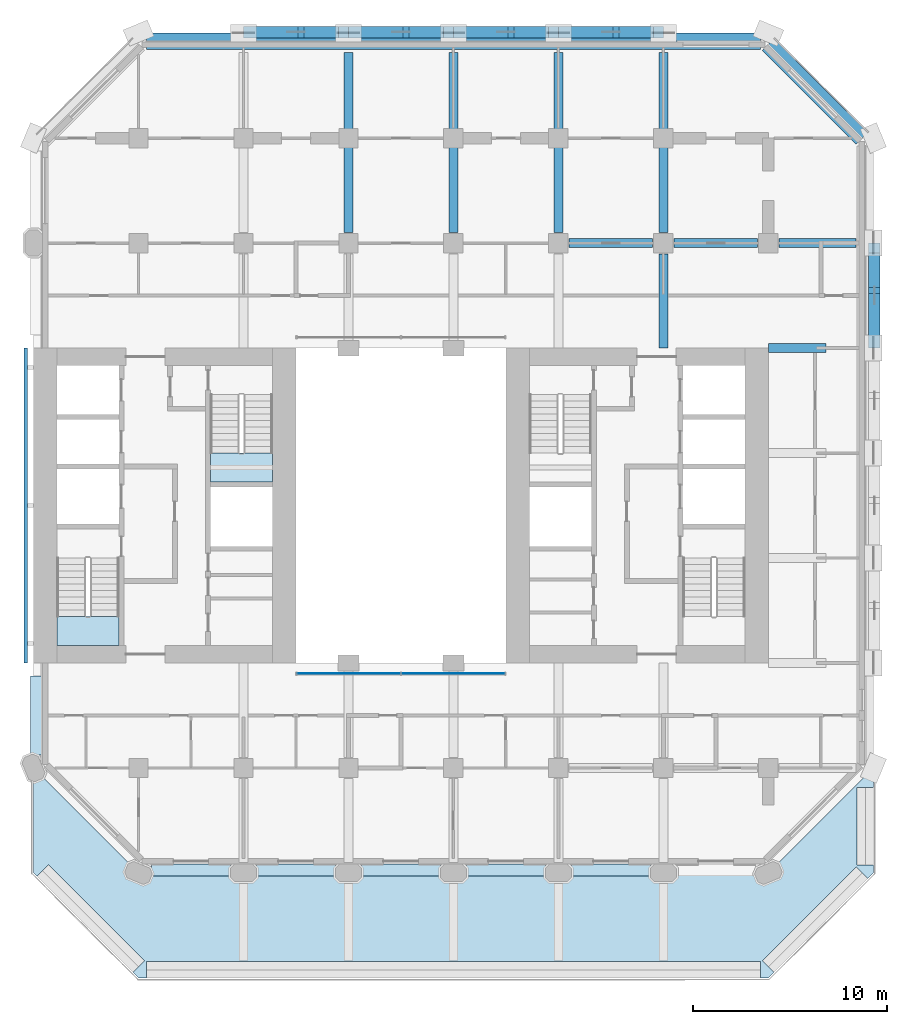
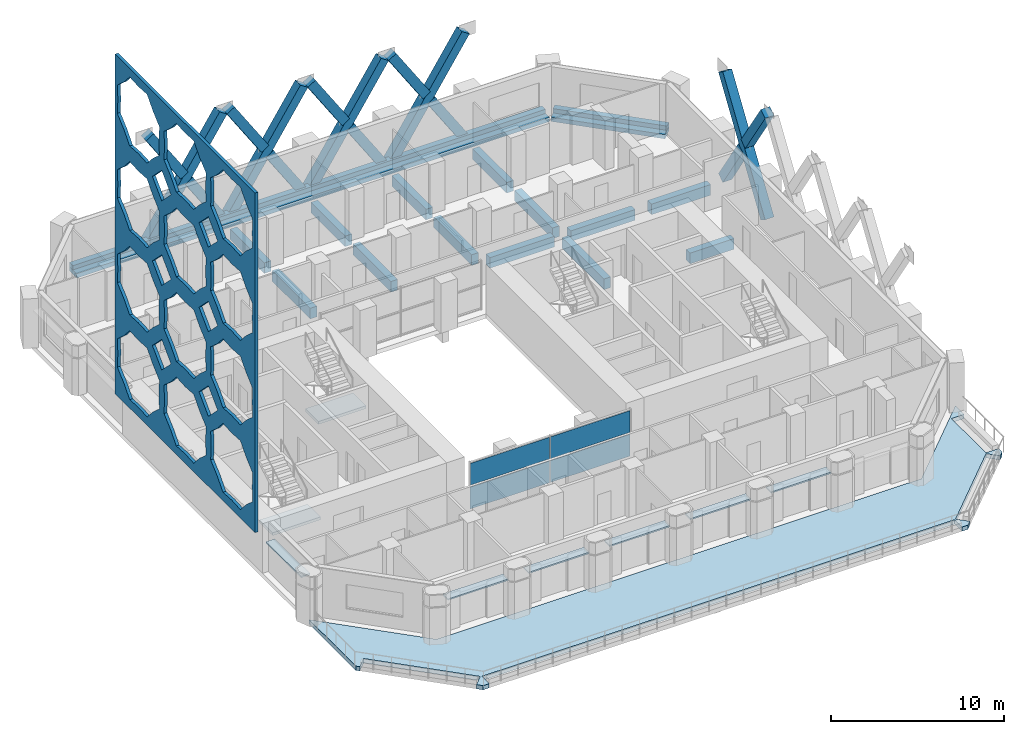
# One storey, part 7 of 16: 17 beams, 15 members, 11 plates, 3 slabs, 3 elements without a shape of their own.
"""IFC4 building model written with IfcOpenShell, lengths in metres."""

from ifc_helpers import new_model, si_unit, direction, frame, origin, origin_2d, place, context, subcontext, project, spatial, polyline, rectangle, outline, extrude, material, layer, layer_set, material_profile, profile_set, type_object, element, aggregate, save


model = new_model("IFC4")

# Units and contexts
model_context = context("Model", 3, precision=1e-05, world=origin(), true_north=direction((0.0, 1.0)))
body_context = subcontext(model_context, "Body", "Model", "MODEL_VIEW")
ifc_project = project(units=[si_unit("LENGTHUNIT", "METRE"), si_unit("AREAUNIT", "SQUARE_METRE"), si_unit("VOLUMEUNIT", "CUBIC_METRE"), si_unit("PLANEANGLEUNIT", "RADIAN"), si_unit("MASSUNIT", "GRAM", prefix="KILO")], contexts=[model_context])

# Site, building, storey
site_placement = place(None, origin())
site = spatial("IfcSite", under=ifc_project, at=site_placement, CompositionType="ELEMENT")
building_placement = place(site_placement, origin())
building = spatial("IfcBuilding", under=site, at=building_placement, Name="Tabaq Tower and Sports Hall", CompositionType="ELEMENT")
storey_placement = place(building_placement, frame((0.0, 0.0, 65.0)))
storey = spatial("IfcBuildingStorey", under=building, at=storey_placement, Name="L14", CompositionType="ELEMENT", Elevation=65.0)

# Beams
ifc_material_1 = material(Name="Concrete C40/50", Category="concrete")
ifc_material_profile_1 = material_profile(ifc_material_1, rectangle(XDim=0.449951171875, YDim=0.75, at=origin_2d()), Name="CB 450x750")
ifc_profile_set_1 = profile_set([ifc_material_profile_1], Name="Concrete C40/50")
beam_type_1 = type_object("IfcBeamType", Name="PT CANTILEVER BEAM CB 450x750 C40/50", PredefinedType="BEAM", material=ifc_profile_set_1)
beam_1_placement = place(storey_placement, frame((46.14990234375, 32.39990234375, -0.675048828125), z_axis=(-1.0, 0.0, 0.0), x_axis=(0.0, -1.0, 0.0)))
element("IfcBeam", 1, at=beam_1_placement, inside=storey, type_object=beam_type_1, Name="Cantilever Beam L14 E6 span 1", PredefinedType="BEAM", context=body_context, shape_type="SweptSolid", body=[
    extrude(rectangle(XDim=0.449951171875, YDim=0.75, at=origin_2d()), origin(), (0.0, 0.0, 1.0), 2.949951171875),
])
beam_2_placement = place(storey_placement, frame((47.699951171875, 37.800048828125, -0.675048828125), z_axis=(-1.0, 0.0, 0.0), x_axis=(0.0, -1.0, 0.0)))
element("IfcBeam", 2, at=beam_2_placement, inside=storey, type_object=beam_type_1, Name="Cantilever Beam L14 E7 span 1", PredefinedType="BEAM", context=body_context, shape_type="SweptSolid", body=[
    extrude(rectangle(XDim=0.449951171875, YDim=0.75, at=origin_2d()), origin(), (0.0, 0.0, 1.0), 3.949951171875),
])
beam_3_placement = place(storey_placement, frame((42.64990234375, 37.800048828125, -0.675048828125), z_axis=(-1.0, 0.0, 0.0), x_axis=(0.0, -1.0, 0.0)))
element("IfcBeam", 3, at=beam_3_placement, inside=storey, type_object=beam_type_1, Name="Cantilever Beam L14 E7 span 2", PredefinedType="BEAM", context=body_context, shape_type="SweptSolid", body=[
    extrude(rectangle(XDim=0.449951171875, YDim=0.75, at=origin_2d()), origin(), (0.0, 0.0, 1.0), 4.2998046875),
])
beam_4_placement = place(storey_placement, frame((37.25, 37.800048828125, -0.675048828125), z_axis=(-1.0, 0.0, 0.0), x_axis=(0.0, -1.0, 0.0)))
element("IfcBeam", 4, at=beam_4_placement, inside=storey, type_object=beam_type_1, Name="Cantilever Beam L14 E7 span 3", PredefinedType="BEAM", context=body_context, shape_type="SweptSolid", body=[
    extrude(rectangle(XDim=0.449951171875, YDim=0.75, at=origin_2d()), origin(), (0.0, 0.0, 1.0), 4.300048828125),
])
beam_5_placement = place(storey_placement, frame((21.60009765625, 47.60009765625, -0.675048828125), z_axis=(0.0, -1.0, 0.0), x_axis=(1.0, 0.0, 0.0)))
element("IfcBeam", 5, at=beam_5_placement, inside=storey, type_object=beam_type_1, Name="Cantilever Beam L14 N4 span 1", PredefinedType="BEAM", context=body_context, shape_type="SweptSolid", body=[
    extrude(rectangle(XDim=0.449951171875, YDim=0.75, at=origin_2d()), origin(), (0.0, 0.0, 1.0), 3.9501953125),
])
beam_6_placement = place(storey_placement, frame((21.60009765625, 42.75, -0.675048828125), z_axis=(0.0, -1.0, 0.0), x_axis=(1.0, 0.0, 0.0)))
element("IfcBeam", 6, at=beam_6_placement, inside=storey, type_object=beam_type_1, Name="Cantilever Beam L14 N4 span 2", PredefinedType="BEAM", context=body_context, shape_type="SweptSolid", body=[
    extrude(rectangle(XDim=0.449951171875, YDim=0.75, at=origin_2d()), origin(), (0.0, 0.0, 1.0), 4.39990234375),
])
beam_7_placement = place(storey_placement, frame((27.0, 47.60009765625, -0.675048828125), z_axis=(0.0, -1.0, 0.0), x_axis=(1.0, 0.0, 0.0)))
element("IfcBeam", 7, at=beam_7_placement, inside=storey, type_object=beam_type_1, Name="Cantilever Beam L14 N5 span 1", PredefinedType="BEAM", context=body_context, shape_type="SweptSolid", body=[
    extrude(rectangle(XDim=0.449951171875, YDim=0.75, at=origin_2d()), origin(), (0.0, 0.0, 1.0), 3.9501953125),
])
beam_8_placement = place(storey_placement, frame((27.0, 42.75, -0.675048828125), z_axis=(0.0, -1.0, 0.0), x_axis=(1.0, 0.0, 0.0)))
element("IfcBeam", 8, at=beam_8_placement, inside=storey, type_object=beam_type_1, Name="Cantilever Beam L14 N5 span 2", PredefinedType="BEAM", context=body_context, shape_type="SweptSolid", body=[
    extrude(rectangle(XDim=0.449951171875, YDim=0.75, at=origin_2d()), origin(), (0.0, 0.0, 1.0), 4.39990234375),
])
beam_9_placement = place(storey_placement, frame((32.39990234375, 47.60009765625, -0.675048828125), z_axis=(0.0, -1.0, 0.0), x_axis=(1.0, 0.0, 0.0)))
element("IfcBeam", 9, at=beam_9_placement, inside=storey, type_object=beam_type_1, Name="Cantilever Beam L14 N6 span 1", PredefinedType="BEAM", context=body_context, shape_type="SweptSolid", body=[
    extrude(rectangle(XDim=0.449951171875, YDim=0.75, at=origin_2d()), origin(), (0.0, 0.0, 1.0), 3.9501953125),
])
beam_10_placement = place(storey_placement, frame((32.39990234375, 42.75, -0.675048828125), z_axis=(0.0, -1.0, 0.0), x_axis=(1.0, 0.0, 0.0)))
element("IfcBeam", 10, at=beam_10_placement, inside=storey, type_object=beam_type_1, Name="Cantilever Beam L14 N6 span 2", PredefinedType="BEAM", context=body_context, shape_type="SweptSolid", body=[
    extrude(rectangle(XDim=0.449951171875, YDim=0.75, at=origin_2d()), origin(), (0.0, 0.0, 1.0), 4.39990234375),
])
beam_11_placement = place(storey_placement, frame((37.800048828125, 47.60009765625, -0.675048828125), z_axis=(0.0, -1.0, 0.0), x_axis=(1.0, 0.0, 0.0)))
element("IfcBeam", 11, at=beam_11_placement, inside=storey, type_object=beam_type_1, Name="Cantilever Beam L14 N7 span 1", PredefinedType="BEAM", context=body_context, shape_type="SweptSolid", body=[
    extrude(rectangle(XDim=0.449951171875, YDim=0.75, at=origin_2d()), origin(), (0.0, 0.0, 1.0), 3.9501953125),
])
beam_12_placement = place(storey_placement, frame((37.800048828125, 42.75, -0.675048828125), z_axis=(0.0, -1.0, 0.0), x_axis=(1.0, 0.0, 0.0)))
element("IfcBeam", 12, at=beam_12_placement, inside=storey, type_object=beam_type_1, Name="Cantilever Beam L14 N7 span 2", PredefinedType="BEAM", context=body_context, shape_type="SweptSolid", body=[
    extrude(rectangle(XDim=0.449951171875, YDim=0.75, at=origin_2d()), origin(), (0.0, 0.0, 1.0), 4.39990234375),
])
beam_13_placement = place(storey_placement, frame((37.800048828125, 37.25, -0.675048828125), z_axis=(0.0, -1.0, 0.0), x_axis=(1.0, 0.0, 0.0)))
element("IfcBeam", 13, at=beam_13_placement, inside=storey, type_object=beam_type_1, Name="Cantilever Beam L14 N7 span 3", PredefinedType="BEAM", context=body_context, shape_type="SweptSolid", body=[
    extrude(rectangle(XDim=0.449951171875, YDim=0.75, at=origin_2d()), origin(), (0.0, 0.0, 1.0), 4.85009765625),
])
ifc_material_2 = material(Name="Concrete C40/50", Category="concrete")
ifc_material_profile_2 = material_profile(ifc_material_2, rectangle(XDim=0.85009765625, YDim=0.300048828125, at=origin_2d()), Name="EB 850x300")
ifc_profile_set_2 = profile_set([ifc_material_profile_2], Name="Concrete C40/50")
beam_type_2 = type_object("IfcBeamType", Name="PT EDGE BEAM EB 850x300 C40/50", PredefinedType="SPANDREL", material=ifc_profile_set_2)
beam_14_placement = place(storey_placement, frame((48.01513671875, 43.183837890625, -0.14990234375), z_axis=(-0.707106781187, 0.707106781187, 0.0), x_axis=(-0.707106781187, -0.707106781187, 0.0)))
element("IfcBeam", 14, at=beam_14_placement, inside=storey, type_object=beam_type_2, Name="Edge Beam L14 2", PredefinedType="SPANDREL", context=body_context, shape_type="SweptSolid", body=[
    extrude(rectangle(XDim=0.85009765625, YDim=0.300048828125, at=origin_2d()), origin(), (0.0, 0.0, 1.0), 6.83251953125),
])
beam_15_placement = place(storey_placement, frame((42.7978515625, 48.175048828125, -0.14990234375), z_axis=(-1.0, 0.0, 0.0), x_axis=(0.0, -1.0, 0.0)))
element("IfcBeam", 15, at=beam_15_placement, inside=storey, type_object=beam_type_2, Name="Edge Beam L14 3", PredefinedType="SPANDREL", context=body_context, shape_type="SweptSolid", body=[
    extrude(rectangle(XDim=0.85009765625, YDim=0.300048828125, at=origin_2d()), origin(), (0.0, 0.0, 1.0), 31.595703125),
])
ifc_material_3 = material(Name="Concrete C40/50", Category="concrete")
ifc_material_profile_3 = material_profile(ifc_material_3, rectangle(XDim=0.39990234375, YDim=0.300048828125, at=origin_2d()), Name="EU 400x300")
ifc_profile_set_3 = profile_set([ifc_material_profile_3], Name="Concrete C40/50")
beam_type_3 = type_object("IfcBeamType", Name="PT EDGE UPSTAND EU 400x300 C40/50", PredefinedType="BEAM", material=ifc_profile_set_3)
beam_16_placement = place(storey_placement, frame((48.17431640625, 43.3427734375, 0.14990234375), z_axis=(-0.707106781187, 0.707106781187, 0.0), x_axis=(-0.707106781187, -0.707106781187, 0.0)))
element("IfcBeam", 16, at=beam_16_placement, inside=storey, type_object=beam_type_3, Name="Edge Upstand L14 2", PredefinedType="BEAM", context=body_context, shape_type="SweptSolid", body=[
    extrude(rectangle(XDim=0.39990234375, YDim=0.300048828125, at=origin_2d()), origin(), (0.0, 0.0, 1.0), 6.832763671875),
])
beam_17_placement = place(storey_placement, frame((42.7978515625, 48.39990234375, 0.14990234375), z_axis=(-1.0, 0.0, 0.0), x_axis=(0.0, -1.0, 0.0)))
element("IfcBeam", 17, at=beam_17_placement, inside=storey, type_object=beam_type_3, Name="Edge Upstand L14 3", PredefinedType="BEAM", context=body_context, shape_type="SweptSolid", body=[
    extrude(rectangle(XDim=0.39990234375, YDim=0.300048828125, at=origin_2d()), origin(), (0.0, 0.0, 1.0), 31.595703125),
])

# Members
ifc_material_4 = material(Name="Concrete C60/75", Category="concrete")
ifc_material_profile_4 = material_profile(ifc_material_4, rectangle(XDim=0.60009765625, YDim=0.60009765625, at=origin_2d()), Name="TRANSFER BAND BRACE 600x600")
ifc_profile_set_4 = profile_set([ifc_material_profile_4], Name="Concrete C60/75")
member_type = type_object("IfcMemberType", Name="RC TRANSFER BAND BRACE 600x600 C60/75", PredefinedType="BRACE", material=ifc_profile_set_4)
member_1_placement = place(storey_placement, frame((48.64990234375, 32.64990234375, -0.050048828125), z_axis=(0.0, 0.546960043342, 0.837158713141), x_axis=(-1.0, 0.0, 0.0)))
element("IfcMember", 18, at=member_1_placement, inside=storey, type_object=member_type, Name="Transfer Band Brace L14 East 10", PredefinedType="BRACE", context=body_context, shape_type="SweptSolid", body=[
    extrude(rectangle(XDim=0.60009765625, YDim=0.60009765625, at=origin_2d()), origin(), (0.0, 0.0, 1.0), 8.958984375),
])
for number, where, z_axis, x_axis, name in (
    (19, (48.64990234375, 37.550048828125, -0.050048828125), (0.0, -0.546980074693, 0.837145625258), (1.0, 0.0, 0.0), "Transfer Band Brace L14 East 11"),
    (20, (48.64990234375, 34.9482421875, 3.932373046875), (0.0, -0.546980074693, 0.837145625258), (1.0, 0.0, 0.0), "Transfer Band Brace L14 East 12"),
):
    element("IfcMember", number, at=place(storey_placement, frame(where, z_axis=z_axis, x_axis=x_axis)), inside=storey, type_object=member_type, Name=name, PredefinedType="BRACE", context=body_context, shape_type="SweptSolid", body=[
        extrude(rectangle(XDim=0.60009765625, YDim=0.60009765625, at=origin_2d()), origin(), (0.0, 0.0, 1.0), 4.201904296875),
    ])
member_2_placement = place(storey_placement, frame((16.449951171875, 48.64990234375, -0.050048828125), z_axis=(0.546960043342, 0.0, 0.837158713141), x_axis=(0.0, 1.0, 0.0)))
element("IfcMember", 21, at=member_2_placement, inside=storey, type_object=member_type, Name="Transfer Band Brace L14 North 13", PredefinedType="BRACE", context=body_context, shape_type="SweptSolid", body=[
    extrude(rectangle(XDim=0.60009765625, YDim=0.60009765625, at=origin_2d()), origin(), (0.0, 0.0, 1.0), 8.958984375),
])
for number, where, z_axis, x_axis, name in (
    (22, (21.35009765625, 48.64990234375, -0.050048828125), (-0.546980074693, 0.0, 0.837145625258), (0.0, -1.0, 0.0), "Transfer Band Brace L14 North 14"),
    (23, (18.748291015625, 48.64990234375, 3.932373046875), (-0.546980074693, 0.0, 0.837145625258), (0.0, -1.0, 0.0), "Transfer Band Brace L14 North 15"),
):
    element("IfcMember", number, at=place(storey_placement, frame(where, z_axis=z_axis, x_axis=x_axis)), inside=storey, type_object=member_type, Name=name, PredefinedType="BRACE", context=body_context, shape_type="SweptSolid", body=[
        extrude(rectangle(XDim=0.60009765625, YDim=0.60009765625, at=origin_2d()), origin(), (0.0, 0.0, 1.0), 4.201904296875),
    ])
member_3_placement = place(storey_placement, frame((21.85009765625, 48.64990234375, -0.050048828125), z_axis=(0.546940944285, 0.0, 0.837171191253), x_axis=(0.0, 1.0, 0.0)))
element("IfcMember", 24, at=member_3_placement, inside=storey, type_object=member_type, Name="Transfer Band Brace L14 North 16", PredefinedType="BRACE", context=body_context, shape_type="SweptSolid", body=[
    extrude(rectangle(XDim=0.60009765625, YDim=0.60009765625, at=origin_2d()), origin(), (0.0, 0.0, 1.0), 8.958740234375),
])
for number, where, z_axis, x_axis, name in (
    (25, (26.75, 48.64990234375, -0.050048828125), (-0.546939353543, 0.0, 0.837172230516), (0.0, -1.0, 0.0), "Transfer Band Brace L14 North 17"),
    (26, (24.148193359375, 48.64990234375, 3.932373046875), (-0.546939353543, 0.0, 0.837172230516), (0.0, -1.0, 0.0), "Transfer Band Brace L14 North 18"),
):
    element("IfcMember", number, at=place(storey_placement, frame(where, z_axis=z_axis, x_axis=x_axis)), inside=storey, type_object=member_type, Name=name, PredefinedType="BRACE", context=body_context, shape_type="SweptSolid", body=[
        extrude(rectangle(XDim=0.60009765625, YDim=0.60009765625, at=origin_2d()), origin(), (0.0, 0.0, 1.0), 4.20166015625),
    ])
member_4_placement = place(storey_placement, frame((27.25, 48.64990234375, -0.050048828125), z_axis=(0.546940944285, 0.0, 0.837171191253), x_axis=(0.0, 1.0, 0.0)))
element("IfcMember", 27, at=member_4_placement, inside=storey, type_object=member_type, Name="Transfer Band Brace L14 North 19", PredefinedType="BRACE", context=body_context, shape_type="SweptSolid", body=[
    extrude(rectangle(XDim=0.60009765625, YDim=0.60009765625, at=origin_2d()), origin(), (0.0, 0.0, 1.0), 8.958740234375),
])
for number, where, z_axis, x_axis, name in (
    (28, (32.14990234375, 48.64990234375, -0.050048828125), (-0.546939353543, 0.0, 0.837172230516), (0.0, -1.0, 0.0), "Transfer Band Brace L14 North 20"),
    (29, (29.548095703125, 48.64990234375, 3.932373046875), (-0.546939353543, 0.0, 0.837172230516), (0.0, -1.0, 0.0), "Transfer Band Brace L14 North 21"),
):
    element("IfcMember", number, at=place(storey_placement, frame(where, z_axis=z_axis, x_axis=x_axis)), inside=storey, type_object=member_type, Name=name, PredefinedType="BRACE", context=body_context, shape_type="SweptSolid", body=[
        extrude(rectangle(XDim=0.60009765625, YDim=0.60009765625, at=origin_2d()), origin(), (0.0, 0.0, 1.0), 4.20166015625),
    ])
member_5_placement = place(storey_placement, frame((32.64990234375, 48.64990234375, -0.050048828125), z_axis=(0.546960043342, 0.0, 0.837158713141), x_axis=(0.0, 1.0, 0.0)))
element("IfcMember", 30, at=member_5_placement, inside=storey, type_object=member_type, Name="Transfer Band Brace L14 North 22", PredefinedType="BRACE", context=body_context, shape_type="SweptSolid", body=[
    extrude(rectangle(XDim=0.60009765625, YDim=0.60009765625, at=origin_2d()), origin(), (0.0, 0.0, 1.0), 8.958984375),
])
for number, where, z_axis, x_axis, name in (
    (31, (37.550048828125, 48.64990234375, -0.050048828125), (-0.546980074693, 0.0, 0.837145625258), (0.0, -1.0, 0.0), "Transfer Band Brace L14 North 23"),
    (32, (34.9482421875, 48.64990234375, 3.932373046875), (-0.546980074693, 0.0, 0.837145625258), (0.0, -1.0, 0.0), "Transfer Band Brace L14 North 24"),
):
    element("IfcMember", number, at=place(storey_placement, frame(where, z_axis=z_axis, x_axis=x_axis)), inside=storey, type_object=member_type, Name=name, PredefinedType="BRACE", context=body_context, shape_type="SweptSolid", body=[
        extrude(rectangle(XDim=0.60009765625, YDim=0.60009765625, at=origin_2d()), origin(), (0.0, 0.0, 1.0), 4.201904296875),
    ])

# Curtain wall, plates
ifc_material_5 = material(Name="Aluminium alloy 6063-T6 framed glazing", Category="aluminium")
curtain_wall_type = type_object("IfcCurtainWallType", Name="CW1 curtain wall", PredefinedType="USERDEFINED", material=ifc_material_5)
curtain_wall_placement = place(storey_placement, origin())
curtain_wall = element("IfcCurtainWall", 33, at=curtain_wall_placement, inside=storey, type_object=curtain_wall_type, Name="Atrium glazing L14 S", ObjectType="ATRIUM ENCLOSURE", PredefinedType="USERDEFINED")
ifc_material_6 = material(Name="Clear low-emissivity glass 28 mm", Category="glass")
ifc_layer_1 = layer(ifc_material_6, 0.028076171875)
ifc_layer_set_1 = layer_set([ifc_layer_1], Name="CW1 glass panel 28")
plate_type_1 = type_object("IfcPlateType", Name="CW1 glass panel 28", PredefinedType="CURTAIN_PANEL", material=ifc_layer_set_1)
plate_1_placement = place(storey_placement, frame((21.614990234375, 15.64990234375, 0.139892578125), z_axis=(0.0, 0.0, 1.0), x_axis=(1.0, 0.0, 0.0)))
plate_1 = element("IfcPlate", 34, at=plate_1_placement, type_object=plate_type_1, Name="CW1 panel 1.1", PredefinedType="CURTAIN_PANEL", context=body_context, shape_type="SweptSolid", body=[
    extrude(rectangle(XDim=5.31005859375, YDim=0.028076171875, at=origin_2d()), origin(), (0.0, 0.0, 1.0), 1.5400390625),
])
plate_2_placement = place(storey_placement, frame((21.614990234375, 15.64990234375, 1.820068359375), z_axis=(0.0, 0.0, 1.0), x_axis=(1.0, 0.0, 0.0)))
plate_2 = element("IfcPlate", 35, at=plate_2_placement, type_object=plate_type_1, Name="CW1 panel 1.2", PredefinedType="CURTAIN_PANEL", context=body_context, shape_type="SweptSolid", body=[
    extrude(rectangle(XDim=5.31005859375, YDim=0.028076171875, at=origin_2d()), origin(), (0.0, 0.0, 1.0), 1.5400390625),
])
plate_3_placement = place(storey_placement, frame((26.985107421875, 15.64990234375, 0.139892578125), z_axis=(0.0, 0.0, 1.0), x_axis=(1.0, 0.0, 0.0)))
plate_3 = element("IfcPlate", 36, at=plate_3_placement, type_object=plate_type_1, Name="CW1 panel 2.1", PredefinedType="CURTAIN_PANEL", context=body_context, shape_type="SweptSolid", body=[
    extrude(rectangle(XDim=5.31005859375, YDim=0.028076171875, at=origin_2d()), origin(), (0.0, 0.0, 1.0), 1.5400390625),
])
plate_4_placement = place(storey_placement, frame((26.985107421875, 15.64990234375, 1.820068359375), z_axis=(0.0, 0.0, 1.0), x_axis=(1.0, 0.0, 0.0)))
plate_4 = element("IfcPlate", 37, at=plate_4_placement, type_object=plate_type_1, Name="CW1 panel 2.2", PredefinedType="CURTAIN_PANEL", context=body_context, shape_type="SweptSolid", body=[
    extrude(rectangle(XDim=5.31005859375, YDim=0.028076171875, at=origin_2d()), origin(), (0.0, 0.0, 1.0), 1.5400390625),
])
aggregate(curtain_wall, [plate_1, plate_2, plate_3, plate_4])

# Stair, slab
ifc_material_7 = material(Name="Concrete C40/50", Category="concrete")
stair_type = type_object("IfcStairType", Name="Exit stair", PredefinedType="HALF_TURN_STAIR", material=ifc_material_7)
stair_1_placement = place(storey_placement, origin())
stair_1 = element("IfcStair", 38, at=stair_1_placement, inside=storey, type_object=stair_type, Name="L14 Exit stair ST1", PredefinedType="HALF_TURN_STAIR")
ifc_material_8 = material(Name="Concrete C40/50", Category="concrete")
ifc_layer_2 = layer(ifc_material_8, 0.199951171875)
ifc_layer_set_2 = layer_set([ifc_layer_2], Name="Exit stair landing")
slab_type_1 = type_object("IfcSlabType", Name="Exit stair landing", PredefinedType="LANDING", material=ifc_layer_set_2)
slab_1_placement = place(storey_placement, frame((0.0, 0.0, 1.699951171875)))
slab_1 = element("IfcSlab", 39, at=slab_1_placement, type_object=slab_type_1, Name="ST1 landing 1", PredefinedType="LANDING", context=body_context, shape_type="SweptSolid", body=[
    extrude(outline(polyline([(6.60009765625, 18.60009765625), (6.60009765625, 17.10009765625), (9.800048828125, 17.10009765625), (9.800048828125, 18.60009765625), (6.60009765625, 18.60009765625)])), origin(), (0.0, 0.0, 1.0), 0.199951171875),
])
aggregate(stair_1, [slab_1])

stair_2_placement = place(storey_placement, origin())
stair_2 = element("IfcStair", 40, at=stair_2_placement, inside=storey, type_object=stair_type, Name="L14 Exit stair ST2", PredefinedType="HALF_TURN_STAIR")
slab_2_placement = place(storey_placement, frame((0.0, 0.0, 1.699951171875)))
slab_2 = element("IfcSlab", 41, at=slab_2_placement, type_object=slab_type_1, Name="ST2 landing 1", PredefinedType="LANDING", context=body_context, shape_type="SweptSolid", body=[
    extrude(outline(polyline([(14.5, 27.0), (14.5, 25.5), (17.699951171875, 25.5), (17.699951171875, 27.0), (14.5, 27.0)])), origin(), (0.0, 0.0, 1.0), 0.199951171875),
])
aggregate(stair_2, [slab_2])

# Slab
ifc_material_9 = material(Name="Concrete C40/50", Category="concrete")
ifc_layer_3 = layer(ifc_material_9, 0.300048828125)
ifc_layer_set_3 = layer_set([ifc_layer_3], Name="PT TERRACE SLAB 300 C40/50")
slab_type_2 = type_object("IfcSlabType", Name="PT TERRACE SLAB 300 C40/50", PredefinedType="FLOOR", material=ifc_layer_set_3)
slab_3_placement = place(storey_placement, frame((0.0, 0.0, -0.300048828125)))
element("IfcSlab", 42, at=slab_3_placement, inside=storey, type_object=slab_type_2, Name="Terrace Slab L14", PredefinedType="FLOOR", context=body_context, shape_type="SweptSolid", body=[
    extrude(outline(polyline([(42.7978515625, 0.0), (43.199951171875, 0.0), (43.484375, 0.284423828125), (42.88330078125, 0.88525390625), (47.714599609375, 5.716796875), (47.785400390625, 5.64599609375), (48.315673828125, 5.11572265625), (48.60009765625, 5.39990234375), (48.60009765625, 5.802001953125), (47.85009765625, 5.802001953125), (47.75, 5.802001953125), (47.75, 9.7880859375), (47.85009765625, 9.7880859375), (48.60009765625, 9.7880859375), (48.60009765625, 10.800048828125), (43.199951171875, 5.39990234375), (10.800048828125, 5.39990234375), (5.39990234375, 10.800048828125), (5.39990234375, 5.39990234375), (5.57666015625, 5.22314453125), (6.107177734375, 5.753662109375), (6.177734375, 5.82421875), (11.11669921875, 0.88525390625), (11.0458984375, 0.814697265625), (10.515625, 0.284423828125), (10.800048828125, 0.0), (11.2021484375, 0.0), (11.2021484375, 0.75), (11.2021484375, 0.85009765625), (42.7978515625, 0.85009765625), (42.7978515625, 0.75), (42.7978515625, 0.0)])), origin(), (0.0, 0.0, 1.0), 0.300048828125),
])

# Plates
ifc_material_10 = material(Name="White precast concrete C60/75 pierced screen", Category="concrete")
ifc_layer_4 = layer(ifc_material_10, 0.199951171875)
ifc_layer_set_4 = layer_set([ifc_layer_4], Name="White precast concrete C60/75 girih screen 200")
plate_type_2 = type_object("IfcPlateType", Name="White precast concrete C60/75 girih screen 200", PredefinedType="USERDEFINED", material=ifc_layer_set_4)
plate_5_placement = place(storey_placement, frame((5.0, 32.39990234375, 3.050048828125), z_axis=(0.0, 0.0, 1.0), x_axis=(0.0, -1.0, 0.0)))
element("IfcPlate", 43, at=plate_5_placement, inside=storey, type_object=plate_type_2, Name="Girih screen O2 W", ObjectType="SCREEN", PredefinedType="USERDEFINED", context=body_context, shape_type="SweptSolid", body=[
    extrude(outline(polyline([(0.0, 0.0), (16.199951171875, 0.0), (16.199951171875, 24.0), (0.0, 24.0), (0.0, 0.0)]), holes=[polyline([(5.134521484375, 4.0458984375), (4.376953125, 4.714599609375), (3.70849609375, 5.47216796875), (2.699951171875, 5.4091796875), (1.691650390625, 5.47216796875), (1.02294921875, 4.714599609375), (0.265380859375, 4.0458984375), (0.328369140625, 3.037353515625), (0.265380859375, 2.029052734375), (1.02294921875, 1.3603515625), (1.691650390625, 0.602783203125), (2.699951171875, 0.665771484375), (3.70849609375, 0.602783203125), (4.376953125, 1.3603515625), (5.134521484375, 2.029052734375), (5.07177734375, 3.037353515625), (5.134521484375, 4.0458984375)]), polyline([(5.134521484375, 10.02099609375), (4.376953125, 10.689453125), (3.70849609375, 11.447021484375), (2.699951171875, 11.384033203125), (1.691650390625, 11.447021484375), (1.02294921875, 10.689453125), (0.265380859375, 10.02099609375), (0.328369140625, 9.012451171875), (0.265380859375, 8.00390625), (1.02294921875, 7.33544921875), (1.691650390625, 6.577880859375), (2.699951171875, 6.640869140625), (3.70849609375, 6.577880859375), (4.376953125, 7.33544921875), (5.134521484375, 8.00390625), (5.07177734375, 9.012451171875), (5.134521484375, 10.02099609375)]), polyline([(5.134521484375, 15.995849609375), (4.376953125, 16.66455078125), (3.70849609375, 17.422119140625), (2.699951171875, 17.359130859375), (1.691650390625, 17.422119140625), (1.02294921875, 16.66455078125), (0.265380859375, 15.995849609375), (0.328369140625, 14.987548828125), (0.265380859375, 13.97900390625), (1.02294921875, 13.310302734375), (1.691650390625, 12.552734375), (2.699951171875, 12.61572265625), (3.70849609375, 12.552734375), (4.376953125, 13.310302734375), (5.134521484375, 13.97900390625), (5.07177734375, 14.987548828125), (5.134521484375, 15.995849609375)]), polyline([(5.134521484375, 21.970947265625), (4.376953125, 22.639404296875), (3.70849609375, 23.39697265625), (2.699951171875, 23.334228515625), (1.691650390625, 23.39697265625), (1.02294921875, 22.639404296875), (0.265380859375, 21.970947265625), (0.328369140625, 20.96240234375), (0.265380859375, 19.9541015625), (1.02294921875, 19.285400390625), (1.691650390625, 18.52783203125), (2.699951171875, 18.5908203125), (3.70849609375, 18.52783203125), (4.376953125, 19.285400390625), (5.134521484375, 19.9541015625), (5.07177734375, 20.96240234375), (5.134521484375, 21.970947265625)]), polyline([(10.53466796875, 4.0458984375), (9.777099609375, 4.714599609375), (9.1083984375, 5.47216796875), (8.10009765625, 5.4091796875), (7.091552734375, 5.47216796875), (6.4228515625, 4.714599609375), (5.665283203125, 4.0458984375), (5.728271484375, 3.037353515625), (5.665283203125, 2.029052734375), (6.4228515625, 1.3603515625), (7.091552734375, 0.602783203125), (8.10009765625, 0.665771484375), (9.1083984375, 0.602783203125), (9.777099609375, 1.3603515625), (10.53466796875, 2.029052734375), (10.4716796875, 3.037353515625), (10.53466796875, 4.0458984375)]), polyline([(10.53466796875, 10.02099609375), (9.777099609375, 10.689453125), (9.1083984375, 11.447021484375), (8.10009765625, 11.384033203125), (7.091552734375, 11.447021484375), (6.4228515625, 10.689453125), (5.665283203125, 10.02099609375), (5.728271484375, 9.012451171875), (5.665283203125, 8.00390625), (6.4228515625, 7.33544921875), (7.091552734375, 6.577880859375), (8.10009765625, 6.640869140625), (9.1083984375, 6.577880859375), (9.777099609375, 7.33544921875), (10.53466796875, 8.00390625), (10.4716796875, 9.012451171875), (10.53466796875, 10.02099609375)]), polyline([(10.53466796875, 15.995849609375), (9.777099609375, 16.66455078125), (9.1083984375, 17.422119140625), (8.10009765625, 17.359130859375), (7.091552734375, 17.422119140625), (6.4228515625, 16.66455078125), (5.665283203125, 15.995849609375), (5.728271484375, 14.987548828125), (5.665283203125, 13.97900390625), (6.4228515625, 13.310302734375), (7.091552734375, 12.552734375), (8.10009765625, 12.61572265625), (9.1083984375, 12.552734375), (9.777099609375, 13.310302734375), (10.53466796875, 13.97900390625), (10.4716796875, 14.987548828125), (10.53466796875, 15.995849609375)]), polyline([(10.53466796875, 21.970947265625), (9.777099609375, 22.639404296875), (9.1083984375, 23.39697265625), (8.10009765625, 23.334228515625), (7.091552734375, 23.39697265625), (6.4228515625, 22.639404296875), (5.665283203125, 21.970947265625), (5.728271484375, 20.96240234375), (5.665283203125, 19.9541015625), (6.4228515625, 19.285400390625), (7.091552734375, 18.52783203125), (8.10009765625, 18.5908203125), (9.1083984375, 18.52783203125), (9.777099609375, 19.285400390625), (10.53466796875, 19.9541015625), (10.4716796875, 20.96240234375), (10.53466796875, 21.970947265625)]), polyline([(15.9345703125, 4.0458984375), (15.177001953125, 4.714599609375), (14.508544921875, 5.47216796875), (13.5, 5.4091796875), (12.491455078125, 5.47216796875), (11.822998046875, 4.714599609375), (11.0654296875, 4.0458984375), (11.12841796875, 3.037353515625), (11.0654296875, 2.029052734375), (11.822998046875, 1.3603515625), (12.491455078125, 0.602783203125), (13.5, 0.665771484375), (14.508544921875, 0.602783203125), (15.177001953125, 1.3603515625), (15.9345703125, 2.029052734375), (15.87158203125, 3.037353515625), (15.9345703125, 4.0458984375)]), polyline([(15.9345703125, 10.02099609375), (15.177001953125, 10.689453125), (14.508544921875, 11.447021484375), (13.5, 11.384033203125), (12.491455078125, 11.447021484375), (11.822998046875, 10.689453125), (11.0654296875, 10.02099609375), (11.12841796875, 9.012451171875), (11.0654296875, 8.00390625), (11.822998046875, 7.33544921875), (12.491455078125, 6.577880859375), (13.5, 6.640869140625), (14.508544921875, 6.577880859375), (15.177001953125, 7.33544921875), (15.9345703125, 8.00390625), (15.87158203125, 9.012451171875), (15.9345703125, 10.02099609375)]), polyline([(15.9345703125, 15.995849609375), (15.177001953125, 16.66455078125), (14.508544921875, 17.422119140625), (13.5, 17.359130859375), (12.491455078125, 17.422119140625), (11.822998046875, 16.66455078125), (11.0654296875, 15.995849609375), (11.12841796875, 14.987548828125), (11.0654296875, 13.97900390625), (11.822998046875, 13.310302734375), (12.491455078125, 12.552734375), (13.5, 12.61572265625), (14.508544921875, 12.552734375), (15.177001953125, 13.310302734375), (15.9345703125, 13.97900390625), (15.87158203125, 14.987548828125), (15.9345703125, 15.995849609375)]), polyline([(15.9345703125, 21.970947265625), (15.177001953125, 22.639404296875), (14.508544921875, 23.39697265625), (13.5, 23.334228515625), (12.491455078125, 23.39697265625), (11.822998046875, 22.639404296875), (11.0654296875, 21.970947265625), (11.12841796875, 20.96240234375), (11.0654296875, 19.9541015625), (11.822998046875, 19.285400390625), (12.491455078125, 18.52783203125), (13.5, 18.5908203125), (14.508544921875, 18.52783203125), (15.177001953125, 19.285400390625), (15.9345703125, 19.9541015625), (15.87158203125, 20.96240234375), (15.9345703125, 21.970947265625)]), polyline([(6.47998046875, 6.02490234375), (5.39990234375, 7.10498046875), (4.320068359375, 6.02490234375), (5.39990234375, 4.945068359375), (6.47998046875, 6.02490234375)]), polyline([(6.47998046875, 12.0), (5.39990234375, 13.079833984375), (4.320068359375, 12.0), (5.39990234375, 10.919921875), (6.47998046875, 12.0)]), polyline([(6.47998046875, 17.974853515625), (5.39990234375, 19.054931640625), (4.320068359375, 17.974853515625), (5.39990234375, 16.89501953125), (6.47998046875, 17.974853515625)]), polyline([(11.8798828125, 6.02490234375), (10.800048828125, 7.10498046875), (9.719970703125, 6.02490234375), (10.800048828125, 4.945068359375), (11.8798828125, 6.02490234375)]), polyline([(11.8798828125, 12.0), (10.800048828125, 13.079833984375), (9.719970703125, 12.0), (10.800048828125, 10.919921875), (11.8798828125, 12.0)]), polyline([(11.8798828125, 17.974853515625), (10.800048828125, 19.054931640625), (9.719970703125, 17.974853515625), (10.800048828125, 16.89501953125), (11.8798828125, 17.974853515625)])]), frame((0.0, 0.10009765625, 0.0), z_axis=(0.0, -1.0, 0.0), x_axis=(1.0, 0.0, 0.0)), (0.0, 0.0, 1.0), 0.199951171875),
])
ifc_material_11 = material(Name="White precast concrete C60/75 blade", Category="concrete")
ifc_layer_5 = layer(ifc_material_11, 0.10009765625)
ifc_layer_set_5 = layer_set([ifc_layer_5], Name="White precast concrete C60/75 sunshade 100")
plate_type_3 = type_object("IfcPlateType", Name="White precast concrete C60/75 sunshade 100", PredefinedType="USERDEFINED", material=ifc_layer_set_5)
for number, where, z_axis, x_axis, name in (
    (44, (13.5, 5.550048828125, 2.599853515625), (0.0, 0.0, 1.0), (1.0, 0.0, 0.0), "Sunshade L14 S"),
    (45, (18.89990234375, 5.550048828125, 2.599853515625), (0.0, 0.0, 1.0), (1.0, 0.0, 0.0), "Sunshade L14 S"),
    (46, (24.300048828125, 5.550048828125, 2.599853515625), (0.0, 0.0, 1.0), (1.0, 0.0, 0.0), "Sunshade L14 S"),
    (47, (29.699951171875, 5.550048828125, 2.599853515625), (0.0, 0.0, 1.0), (1.0, 0.0, 0.0), "Sunshade L14 S"),
    (48, (35.10009765625, 5.550048828125, 2.599853515625), (0.0, 0.0, 1.0), (1.0, 0.0, 0.0), "Sunshade L14 S"),
    (49, (5.550048828125, 13.5, 2.599853515625), (0.0, 0.0, 1.0), (0.0, -1.0, 0.0), "Sunshade L14 W"),
):
    element("IfcPlate", number, at=place(storey_placement, frame(where, z_axis=z_axis, x_axis=x_axis)), inside=storey, type_object=plate_type_3, Name=name, ObjectType="SUNSHADE", PredefinedType="USERDEFINED", context=body_context, shape_type="SweptSolid", body=[
        extrude(rectangle(XDim=4.050048828125, YDim=0.60009765625, at=origin_2d()), origin(), (0.0, 0.0, 1.0), 0.10009765625),
    ])

save(model, "model.ifc")
